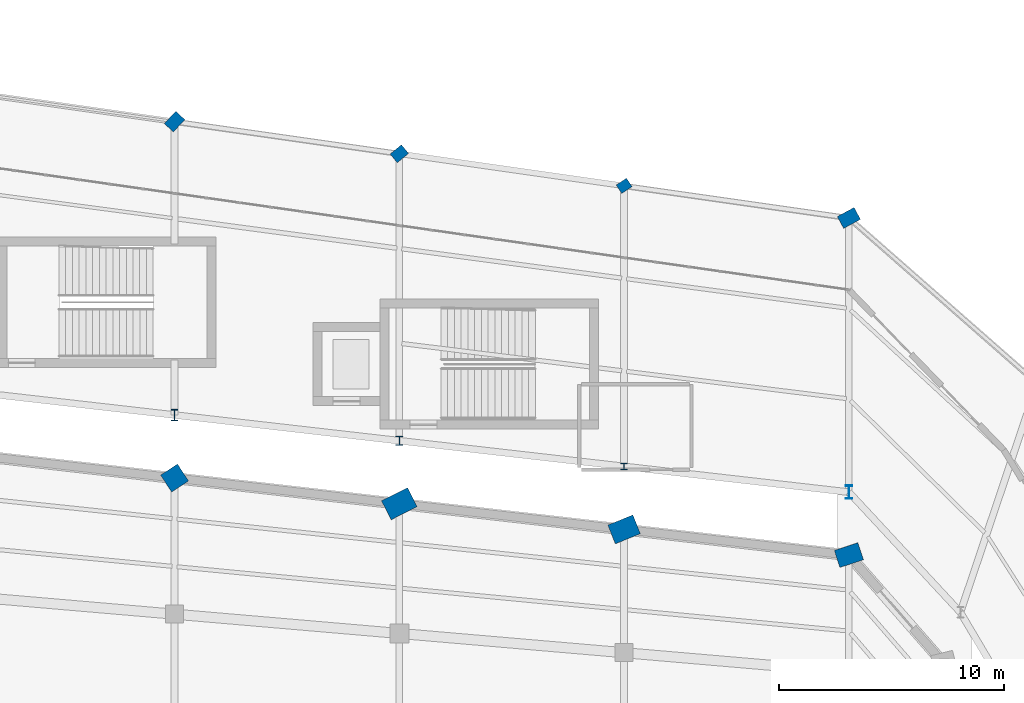
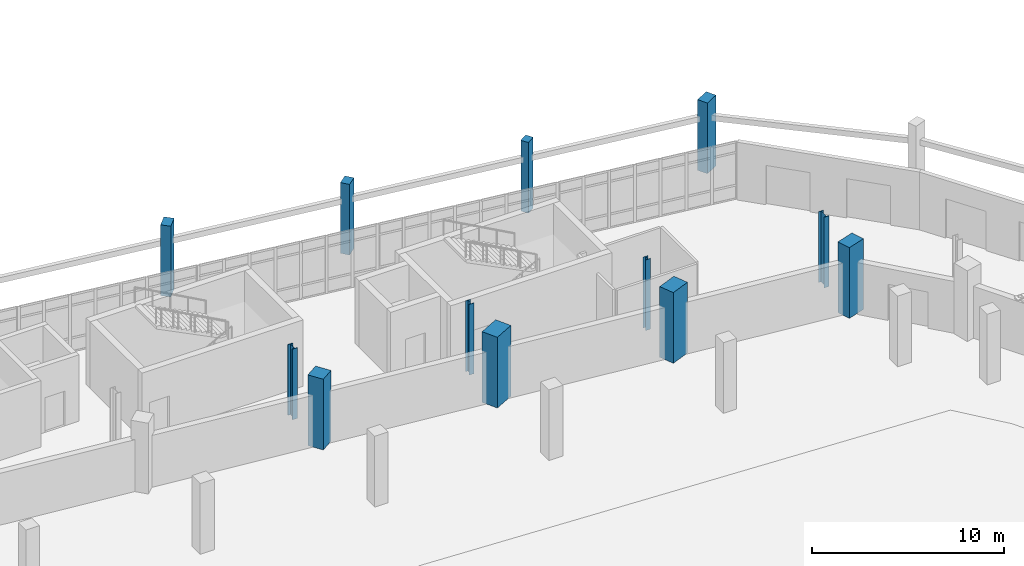
# One storey, part 25 of 122: 12 columns.
"""IFC4 building model written with IfcOpenShell, lengths in metres."""

from ifc_helpers import new_model, si_unit, direction, frame, origin, origin_2d, place, context, subcontext, project, spatial, rectangle, i_section, extrude, material, material_profile, profile_set, type_object, element, save


model = new_model("IFC4")

# Units and contexts
model_context = context("Model", 3, precision=1e-05, world=origin(), true_north=direction((0.0, 1.0)))
body_context = subcontext(model_context, "Body", "Model", "MODEL_VIEW")
ifc_project = project(units=[si_unit("LENGTHUNIT", "METRE"), si_unit("AREAUNIT", "SQUARE_METRE"), si_unit("VOLUMEUNIT", "CUBIC_METRE"), si_unit("PLANEANGLEUNIT", "RADIAN"), si_unit("MASSUNIT", "GRAM", prefix="KILO")], contexts=[model_context])

# Site, building, storey
site_placement = place(None, origin())
site = spatial("IfcSite", under=ifc_project, at=site_placement, CompositionType="ELEMENT")
building_placement = place(site_placement, origin())
building = spatial("IfcBuilding", under=site, at=building_placement, Name="Sohan Crest Arena", CompositionType="ELEMENT")
storey_placement = place(building_placement, origin())
storey = spatial("IfcBuildingStorey", under=building, at=storey_placement, Name="L00", CompositionType="ELEMENT", Elevation=0.0)

# Columns
ifc_material_1 = material(Name="Concrete C40/50", Category="concrete")
ifc_material_profile_1 = material_profile(ifc_material_1, rectangle(XDim=0.89990234375, YDim=0.89990234375, at=origin_2d()), Name="RC 900x900")
ifc_profile_set_1 = profile_set([ifc_material_profile_1], Name="Concrete C40/50")
column_type_1 = type_object("IfcColumnType", Name="STR-COL-C07", PredefinedType="COLUMN", material=ifc_profile_set_1)
column_1_placement = place(storey_placement, frame((138.0, 104.428955078125, 0.0), z_axis=(0.0, 0.0, 1.0), x_axis=(0.833885822067, 0.551936985312, 0.0)))
element("IfcColumn", 1, at=column_1_placement, inside=storey, type_object=column_type_1, Name="Structural column COL-V1R-31-L00", PredefinedType="COLUMN", context=body_context, shape_type="SweptSolid", body=[
    extrude(rectangle(XDim=0.89990234375, YDim=0.89990234375, at=origin_2d()), origin(), (0.0, 0.0, 1.0), 4.5),
])
ifc_material_profile_2 = material_profile(ifc_material_1, rectangle(XDim=1.10009765625, YDim=0.800048828125, at=origin_2d()), Name="RC 1100x800")
ifc_profile_set_2 = profile_set([ifc_material_profile_2], Name="Concrete C40/50")
column_type_2 = type_object("IfcColumnType", Name="STR-COL-C10", PredefinedType="COLUMN", material=ifc_profile_set_2)
column_2_placement = place(storey_placement, frame((168.0, 101.0, 0.0), z_axis=(0.0, 0.0, 1.0), x_axis=(0.949972051525, 0.312334918512, 0.0)))
element("IfcColumn", 2, at=column_2_placement, inside=storey, type_object=column_type_2, Name="Structural column COL-V1R-28-L00", PredefinedType="COLUMN", context=body_context, shape_type="SweptSolid", body=[
    extrude(rectangle(XDim=1.10009765625, YDim=0.800048828125, at=origin_2d()), origin(), (0.0, 0.0, 1.0), 4.5),
])
ifc_material_profile_3 = material_profile(ifc_material_1, rectangle(XDim=1.199951171875, YDim=0.89990234375, at=origin_2d()), Name="RC 1200x900")
ifc_profile_set_3 = profile_set([ifc_material_profile_3], Name="Concrete C40/50")
column_type_3 = type_object("IfcColumnType", Name="STR-COL-C11", PredefinedType="COLUMN", material=ifc_profile_set_3)
column_3_placement = place(storey_placement, frame((158.0, 102.14306640625, 0.0), z_axis=(0.0, 0.0, 1.0), x_axis=(0.927836253899, 0.372987782576, 0.0)))
element("IfcColumn", 3, at=column_3_placement, inside=storey, type_object=column_type_3, Name="Structural column COL-V1R-29-L00", PredefinedType="COLUMN", context=body_context, shape_type="SweptSolid", body=[
    extrude(rectangle(XDim=1.199951171875, YDim=0.89990234375, at=origin_2d()), origin(), (0.0, 0.0, 1.0), 4.5),
])
ifc_material_profile_4 = material_profile(ifc_material_1, rectangle(XDim=1.300048828125, YDim=0.949951171875, at=origin_2d()), Name="RC 1300x950")
ifc_profile_set_4 = profile_set([ifc_material_profile_4], Name="Concrete C40/50")
column_type_4 = type_object("IfcColumnType", Name="STR-COL-C12", PredefinedType="COLUMN", material=ifc_profile_set_4)
column_4_placement = place(storey_placement, frame((148.0, 103.285888671875, 0.0), z_axis=(0.0, 0.0, 1.0), x_axis=(0.892585818452, 0.450877540689, 0.0)))
element("IfcColumn", 4, at=column_4_placement, inside=storey, type_object=column_type_4, Name="Structural column COL-V1R-30-L00", PredefinedType="COLUMN", context=body_context, shape_type="SweptSolid", body=[
    extrude(rectangle(XDim=1.300048828125, YDim=0.949951171875, at=origin_2d()), origin(), (0.0, 0.0, 1.0), 4.5),
])
ifc_material_2 = material(Name="Steel S355", Category="steel")
ifc_material_profile_5 = material_profile(ifc_material_2, i_section(OverallWidth=0.300048828125, OverallDepth=0.300048828125, WebThickness=0.010986328125, FlangeThickness=0.01904296875, at=origin_2d()), Name="HEB 300")
ifc_profile_set_5 = profile_set([ifc_material_profile_5], Name="Steel S355")
column_type_5 = type_object("IfcColumnType", Name="STR-COL-C17", PredefinedType="COLUMN", material=ifc_profile_set_5)
column_5_placement = place(storey_placement, frame((158.0, 104.943115234375, 0.0), z_axis=(0.0, 0.0, 1.0), x_axis=(1.0, 0.0, 0.0)))
element("IfcColumn", 5, at=column_5_placement, inside=storey, type_object=column_type_5, Name="Structural column COL-V2I-29-L00", PredefinedType="COLUMN", context=body_context, shape_type="SweptSolid", body=[
    extrude(i_section(OverallWidth=0.300048828125, OverallDepth=0.300048828125, WebThickness=0.010986328125, FlangeThickness=0.01904296875, at=origin_2d()), origin(), (0.0, 0.0, 1.0), 4.5),
])
ifc_material_profile_6 = material_profile(ifc_material_2, i_section(OverallWidth=0.300048828125, OverallDepth=0.39990234375, WebThickness=0.013427734375, FlangeThickness=0.02392578125, at=origin_2d()), Name="HEB 400")
ifc_profile_set_6 = profile_set([ifc_material_profile_6], Name="Steel S355")
column_type_6 = type_object("IfcColumnType", Name="STR-COL-C18", PredefinedType="COLUMN", material=ifc_profile_set_6)
column_6_placement = place(storey_placement, frame((148.0, 106.0859375, 0.0), z_axis=(0.0, 0.0, 1.0), x_axis=(1.0, 0.0, 0.0)))
element("IfcColumn", 6, at=column_6_placement, inside=storey, type_object=column_type_6, Name="Structural column COL-V2I-30-L00", PredefinedType="COLUMN", context=body_context, shape_type="SweptSolid", body=[
    extrude(i_section(OverallWidth=0.300048828125, OverallDepth=0.39990234375, WebThickness=0.013427734375, FlangeThickness=0.02392578125, at=origin_2d()), origin(), (0.0, 0.0, 1.0), 4.5),
])
ifc_material_profile_7 = material_profile(ifc_material_2, i_section(OverallWidth=0.300048828125, OverallDepth=0.5, WebThickness=0.014404296875, FlangeThickness=0.028076171875, at=origin_2d()), Name="HEB 500")
ifc_profile_set_7 = profile_set([ifc_material_profile_7], Name="Steel S355")
column_type_7 = type_object("IfcColumnType", Name="STR-COL-C19", PredefinedType="COLUMN", material=ifc_profile_set_7)
column_7_placement = place(storey_placement, frame((138.0, 107.22900390625, 0.0), z_axis=(0.0, 0.0, 1.0), x_axis=(1.0, 0.0, 0.0)))
element("IfcColumn", 7, at=column_7_placement, inside=storey, type_object=column_type_7, Name="Structural column COL-V2I-31-L00", PredefinedType="COLUMN", context=body_context, shape_type="SweptSolid", body=[
    extrude(i_section(OverallWidth=0.300048828125, OverallDepth=0.5, WebThickness=0.014404296875, FlangeThickness=0.028076171875, at=origin_2d()), origin(), (0.0, 0.0, 1.0), 4.5),
])
ifc_material_profile_8 = material_profile(ifc_material_2, i_section(OverallWidth=0.300048828125, OverallDepth=0.60009765625, WebThickness=0.015380859375, FlangeThickness=0.030029296875, at=origin_2d()), Name="HEB 600")
ifc_profile_set_8 = profile_set([ifc_material_profile_8], Name="Steel S355")
column_type_8 = type_object("IfcColumnType", Name="STR-COL-C20", PredefinedType="COLUMN", material=ifc_profile_set_8)
column_8_placement = place(storey_placement, frame((168.0, 103.800048828125, 0.0), z_axis=(0.0, 0.0, 1.0), x_axis=(1.0, 0.0, 0.0)))
element("IfcColumn", 8, at=column_8_placement, inside=storey, type_object=column_type_8, Name="Structural column COL-V2I-28-L00", PredefinedType="COLUMN", context=body_context, shape_type="SweptSolid", body=[
    extrude(i_section(OverallWidth=0.300048828125, OverallDepth=0.60009765625, WebThickness=0.015380859375, FlangeThickness=0.030029296875, at=origin_2d()), origin(), (0.0, 0.0, 1.0), 4.5),
])
ifc_material_profile_9 = material_profile(ifc_material_1, rectangle(XDim=0.550048828125, YDim=0.449951171875, at=origin_2d()), Name="RC 550x450")
ifc_profile_set_9 = profile_set([ifc_material_profile_9], Name="Concrete C40/50")
column_type_9 = type_object("IfcColumnType", Name="STR-COL-PC01", PredefinedType="PILASTER", material=ifc_profile_set_9)
column_9_placement = place(storey_placement, frame((158.0, 117.428955078125, 0.0), z_axis=(0.0, 0.0, 1.0), x_axis=(0.835807361368, 0.549022817998, 0.0)))
element("IfcColumn", 9, at=column_9_placement, inside=storey, type_object=column_type_9, Name="Structural column COL-V2O-29-L00", PredefinedType="PILASTER", context=body_context, shape_type="SweptSolid", body=[
    extrude(rectangle(XDim=0.550048828125, YDim=0.449951171875, at=origin_2d()), origin(), (0.0, 0.0, 1.0), 4.5),
])
ifc_material_profile_10 = material_profile(ifc_material_1, rectangle(XDim=0.64990234375, YDim=0.5, at=origin_2d()), Name="RC 650x500")
ifc_profile_set_10 = profile_set([ifc_material_profile_10], Name="Concrete C40/50")
column_type_10 = type_object("IfcColumnType", Name="STR-COL-PC02", PredefinedType="PILASTER", material=ifc_profile_set_10)
column_10_placement = place(storey_placement, frame((148.0, 118.85693359375, 0.0), z_axis=(0.0, 0.0, 1.0), x_axis=(0.773840209727, 0.633380872628, 0.0)))
element("IfcColumn", 10, at=column_10_placement, inside=storey, type_object=column_type_10, Name="Structural column COL-V2O-30-L00", PredefinedType="PILASTER", context=body_context, shape_type="SweptSolid", body=[
    extrude(rectangle(XDim=0.64990234375, YDim=0.5, at=origin_2d()), origin(), (0.0, 0.0, 1.0), 4.5),
])
ifc_material_profile_11 = material_profile(ifc_material_1, rectangle(XDim=0.75, YDim=0.550048828125, at=origin_2d()), Name="RC 750x550")
ifc_profile_set_11 = profile_set([ifc_material_profile_11], Name="Concrete C40/50")
column_type_11 = type_object("IfcColumnType", Name="STR-COL-PC03", PredefinedType="PILASTER", material=ifc_profile_set_11)
column_11_placement = place(storey_placement, frame((138.0, 120.285888671875, 0.0), z_axis=(0.0, 0.0, 1.0), x_axis=(0.687087510804, 0.726574670971, 0.0)))
element("IfcColumn", 11, at=column_11_placement, inside=storey, type_object=column_type_11, Name="Structural column COL-V2O-31-L00", PredefinedType="PILASTER", context=body_context, shape_type="SweptSolid", body=[
    extrude(rectangle(XDim=0.75, YDim=0.550048828125, at=origin_2d()), origin(), (0.0, 0.0, 1.0), 4.5),
])
ifc_material_profile_12 = material_profile(ifc_material_1, rectangle(XDim=0.85009765625, YDim=0.60009765625, at=origin_2d()), Name="RC 850x600")
ifc_profile_set_12 = profile_set([ifc_material_profile_12], Name="Concrete C40/50")
column_type_12 = type_object("IfcColumnType", Name="STR-COL-PC04", PredefinedType="PILASTER", material=ifc_profile_set_12)
column_12_placement = place(storey_placement, frame((168.0, 116.0, 0.0), z_axis=(0.0, 0.0, 1.0), x_axis=(0.878817112662, 0.47715876026, 0.0)))
element("IfcColumn", 12, at=column_12_placement, inside=storey, type_object=column_type_12, Name="Structural column COL-V2O-28-L00", PredefinedType="PILASTER", context=body_context, shape_type="SweptSolid", body=[
    extrude(rectangle(XDim=0.85009765625, YDim=0.60009765625, at=origin_2d()), origin(), (0.0, 0.0, 1.0), 4.5),
])

save(model, "model.ifc")
